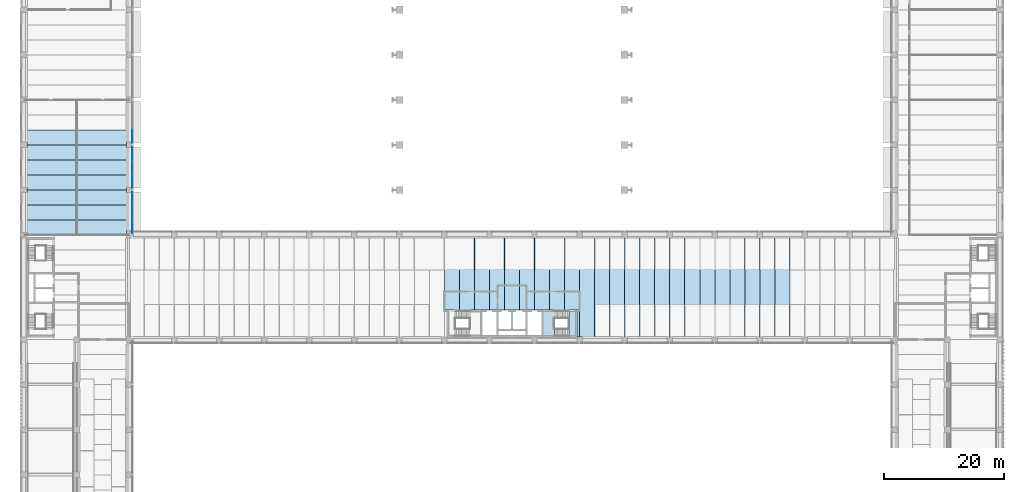
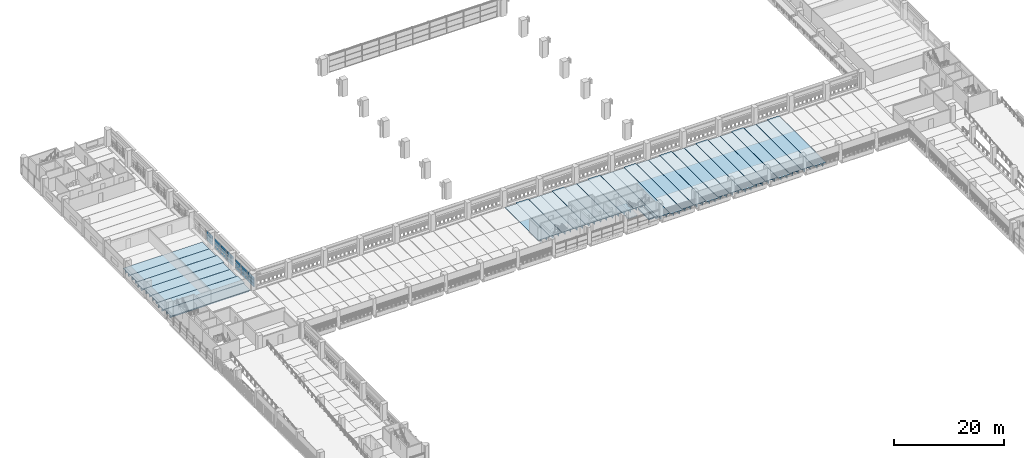
# One storey, part 23 of 57: 33 slabs, 21 plates, 4 elements without a shape of their own.
"""IFC4 building model written with IfcOpenShell, lengths in metres."""

from ifc_helpers import new_model, si_unit, direction, frame, origin, origin_2d, place, context, subcontext, project, spatial, polyline, rectangle, outline, extrude, material, layer, layer_set, material_profile, profile_set, type_object, element, aggregate, save


model = new_model("IFC4")

# Units and contexts
model_context = context("Model", 3, precision=1e-05, world=origin(), true_north=direction((0.0, 1.0)))
body_context = subcontext(model_context, "Body", "Model", "MODEL_VIEW")
ifc_project = project(units=[si_unit("LENGTHUNIT", "METRE"), si_unit("AREAUNIT", "SQUARE_METRE"), si_unit("VOLUMEUNIT", "CUBIC_METRE"), si_unit("PLANEANGLEUNIT", "RADIAN"), si_unit("MASSUNIT", "GRAM", prefix="KILO")], contexts=[model_context])

# Site, building, storey
site_placement = place(None, origin())
site = spatial("IfcSite", under=ifc_project, at=site_placement, CompositionType="ELEMENT")
building_placement = place(site_placement, origin())
building = spatial("IfcBuilding", under=site, at=building_placement, Name="Cour d'Honneur Mobility Palace", CompositionType="ELEMENT")
storey_placement = place(building_placement, frame((0.0, 0.0, 8.199951171875)))
storey = spatial("IfcBuildingStorey", under=building, at=storey_placement, Name="L02", CompositionType="ELEMENT", Elevation=8.199951171875)

# Slabs
ifc_material_1 = material(Name="Concrete C50", Category="concrete")
ifc_layer_1 = layer(ifc_material_1, 0.25)
ifc_layer_set_1 = layer_set([ifc_layer_1], Name="Concrete C50")
slab_type_1 = type_object("IfcSlabType", Name="Cast-in-place Slab 250", PredefinedType="FLOOR", material=ifc_layer_set_1)
slab_1_placement = place(storey_placement, frame((0.0, 0.0, -0.25)))
element("IfcSlab", 1, at=slab_1_placement, inside=storey, type_object=slab_type_1, Name="Cast-in-place slab S1 L02 core", PredefinedType="FLOOR", context=body_context, shape_type="SweptSolid", body=[
    extrude(outline(polyline([(91.949951171875, 45.449951171875), (91.949951171875, 49.800048828125), (92.39990234375, 49.800048828125), (92.39990234375, 45.449951171875), (91.949951171875, 45.449951171875)])), origin(), (0.0, 0.0, 1.0), 0.25),
])
slab_2_placement = place(storey_placement, frame((0.0, 0.0, -0.25)))
element("IfcSlab", 2, at=slab_2_placement, inside=storey, type_object=slab_type_1, Name="Cast-in-place slab S1 L02 core", PredefinedType="FLOOR", context=body_context, shape_type="SweptSolid", body=[
    extrude(outline(polyline([(91.699951171875, 45.699951171875), (90.625, 45.699951171875), (90.625, 49.675048828125), (91.699951171875, 49.675048828125), (91.699951171875, 45.699951171875)])), origin(), (0.0, 0.0, 1.0), 0.25),
])

# Curtain wall, plates
ifc_material_2 = material(Name="Aluminium and glass", Category="aluminium")
ifc_layer_2 = layer(ifc_material_2, 0.10009765625)
ifc_layer_set_2 = layer_set([ifc_layer_2], Name="Aluminium and glass")
curtain_wall_type = type_object("IfcCurtainWallType", Name="Curtain wall run", PredefinedType="NOTDEFINED", material=ifc_layer_set_2)
curtain_wall_1_placement = place(storey_placement, origin())
curtain_wall_1 = element("IfcCurtainWall", 3, at=curtain_wall_1_placement, inside=storey, type_object=curtain_wall_type, Name="Curtain wall CW-23", PredefinedType="NOTDEFINED")
ifc_material_3 = material(Name="Double glazing", Category="glass")
ifc_layer_3 = layer(ifc_material_3, 0.028076171875)
ifc_layer_set_3 = layer_set([ifc_layer_3], Name="Double glazing")
plate_type = type_object("IfcPlateType", Name="Curtain wall panel", PredefinedType="CURTAIN_PANEL", material=ifc_layer_set_3)
plate_1_placement = place(storey_placement, frame((17.949951171875, 63.864990234375, 0.06005859375), z_axis=(0.0, 0.0, 1.0), x_axis=(0.0, 1.0, 0.0)))
plate_1 = element("IfcPlate", 4, at=plate_1_placement, type_object=plate_type, Name="CW-23 panel 1.1", PredefinedType="CURTAIN_PANEL", context=body_context, shape_type="SweptSolid", body=[
    extrude(rectangle(XDim=2.2099609375, YDim=0.028076171875, at=origin_2d()), origin(), (0.0, 0.0, 1.0), 0.6767578125),
])
plate_2_placement = place(storey_placement, frame((17.949951171875, 63.864990234375, 0.796875), z_axis=(0.0, 0.0, 1.0), x_axis=(0.0, 1.0, 0.0)))
plate_2 = element("IfcPlate", 5, at=plate_2_placement, type_object=plate_type, Name="CW-23 panel 1.2", PredefinedType="CURTAIN_PANEL", context=body_context, shape_type="SweptSolid", body=[
    extrude(rectangle(XDim=2.2099609375, YDim=0.028076171875, at=origin_2d()), origin(), (0.0, 0.0, 1.0), 0.706787109375),
])
plate_3_placement = place(storey_placement, frame((17.949951171875, 63.864990234375, 1.563232421875), z_axis=(0.0, 0.0, 1.0), x_axis=(0.0, 1.0, 0.0)))
plate_3 = element("IfcPlate", 6, at=plate_3_placement, type_object=plate_type, Name="CW-23 panel 1.3", PredefinedType="CURTAIN_PANEL", context=body_context, shape_type="SweptSolid", body=[
    extrude(rectangle(XDim=2.2099609375, YDim=0.028076171875, at=origin_2d()), origin(), (0.0, 0.0, 1.0), 0.6767578125),
])
plate_4_placement = place(storey_placement, frame((17.949951171875, 66.14990234375, 0.06005859375), z_axis=(0.0, 0.0, 1.0), x_axis=(0.0, 1.0, 0.0)))
plate_4 = element("IfcPlate", 7, at=plate_4_placement, type_object=plate_type, Name="CW-23 panel 2.1", PredefinedType="CURTAIN_PANEL", context=body_context, shape_type="SweptSolid", body=[
    extrude(rectangle(XDim=2.239990234375, YDim=0.028076171875, at=origin_2d()), origin(), (0.0, 0.0, 1.0), 0.6767578125),
])
plate_5_placement = place(storey_placement, frame((17.949951171875, 66.14990234375, 0.796875), z_axis=(0.0, 0.0, 1.0), x_axis=(0.0, 1.0, 0.0)))
plate_5 = element("IfcPlate", 8, at=plate_5_placement, type_object=plate_type, Name="CW-23 panel 2.2", PredefinedType="CURTAIN_PANEL", context=body_context, shape_type="SweptSolid", body=[
    extrude(rectangle(XDim=2.239990234375, YDim=0.028076171875, at=origin_2d()), origin(), (0.0, 0.0, 1.0), 0.706787109375),
])
plate_6_placement = place(storey_placement, frame((17.949951171875, 66.14990234375, 1.563232421875), z_axis=(0.0, 0.0, 1.0), x_axis=(0.0, 1.0, 0.0)))
plate_6 = element("IfcPlate", 9, at=plate_6_placement, type_object=plate_type, Name="CW-23 panel 2.3", PredefinedType="CURTAIN_PANEL", context=body_context, shape_type="SweptSolid", body=[
    extrude(rectangle(XDim=2.239990234375, YDim=0.028076171875, at=origin_2d()), origin(), (0.0, 0.0, 1.0), 0.6767578125),
])
plate_7_placement = place(storey_placement, frame((17.949951171875, 68.43505859375, 0.06005859375), z_axis=(0.0, 0.0, 1.0), x_axis=(0.0, 1.0, 0.0)))
plate_7 = element("IfcPlate", 10, at=plate_7_placement, type_object=plate_type, Name="CW-23 panel 3.1", PredefinedType="CURTAIN_PANEL", context=body_context, shape_type="SweptSolid", body=[
    extrude(rectangle(XDim=2.2099609375, YDim=0.028076171875, at=origin_2d()), origin(), (0.0, 0.0, 1.0), 0.6767578125),
])
plate_8_placement = place(storey_placement, frame((17.949951171875, 68.43505859375, 0.796875), z_axis=(0.0, 0.0, 1.0), x_axis=(0.0, 1.0, 0.0)))
plate_8 = element("IfcPlate", 11, at=plate_8_placement, type_object=plate_type, Name="CW-23 panel 3.2", PredefinedType="CURTAIN_PANEL", context=body_context, shape_type="SweptSolid", body=[
    extrude(rectangle(XDim=2.2099609375, YDim=0.028076171875, at=origin_2d()), origin(), (0.0, 0.0, 1.0), 0.706787109375),
])
plate_9_placement = place(storey_placement, frame((17.949951171875, 68.43505859375, 1.563232421875), z_axis=(0.0, 0.0, 1.0), x_axis=(0.0, 1.0, 0.0)))
plate_9 = element("IfcPlate", 12, at=plate_9_placement, type_object=plate_type, Name="CW-23 panel 3.3", PredefinedType="CURTAIN_PANEL", context=body_context, shape_type="SweptSolid", body=[
    extrude(rectangle(XDim=2.2099609375, YDim=0.028076171875, at=origin_2d()), origin(), (0.0, 0.0, 1.0), 0.6767578125),
])
aggregate(curtain_wall_1, [plate_1, plate_2, plate_3, plate_4, plate_5, plate_6, plate_7, plate_8, plate_9])

curtain_wall_2_placement = place(storey_placement, origin())
curtain_wall_2 = element("IfcCurtainWall", 13, at=curtain_wall_2_placement, inside=storey, type_object=curtain_wall_type, Name="Curtain wall CW-24", PredefinedType="NOTDEFINED")
plate_10_placement = place(storey_placement, frame((17.949951171875, 71.364990234375, 0.06005859375), z_axis=(0.0, 0.0, 1.0), x_axis=(0.0, 1.0, 0.0)))
plate_10 = element("IfcPlate", 14, at=plate_10_placement, type_object=plate_type, Name="CW-24 panel 1.1", PredefinedType="CURTAIN_PANEL", context=body_context, shape_type="SweptSolid", body=[
    extrude(rectangle(XDim=2.2099609375, YDim=0.028076171875, at=origin_2d()), origin(), (0.0, 0.0, 1.0), 0.6767578125),
])
plate_11_placement = place(storey_placement, frame((17.949951171875, 71.364990234375, 0.796875), z_axis=(0.0, 0.0, 1.0), x_axis=(0.0, 1.0, 0.0)))
plate_11 = element("IfcPlate", 15, at=plate_11_placement, type_object=plate_type, Name="CW-24 panel 1.2", PredefinedType="CURTAIN_PANEL", context=body_context, shape_type="SweptSolid", body=[
    extrude(rectangle(XDim=2.2099609375, YDim=0.028076171875, at=origin_2d()), origin(), (0.0, 0.0, 1.0), 0.706787109375),
])
plate_12_placement = place(storey_placement, frame((17.949951171875, 71.364990234375, 1.563232421875), z_axis=(0.0, 0.0, 1.0), x_axis=(0.0, 1.0, 0.0)))
plate_12 = element("IfcPlate", 16, at=plate_12_placement, type_object=plate_type, Name="CW-24 panel 1.3", PredefinedType="CURTAIN_PANEL", context=body_context, shape_type="SweptSolid", body=[
    extrude(rectangle(XDim=2.2099609375, YDim=0.028076171875, at=origin_2d()), origin(), (0.0, 0.0, 1.0), 0.6767578125),
])
plate_13_placement = place(storey_placement, frame((17.949951171875, 73.64990234375, 0.06005859375), z_axis=(0.0, 0.0, 1.0), x_axis=(0.0, 1.0, 0.0)))
plate_13 = element("IfcPlate", 17, at=plate_13_placement, type_object=plate_type, Name="CW-24 panel 2.1", PredefinedType="CURTAIN_PANEL", context=body_context, shape_type="SweptSolid", body=[
    extrude(rectangle(XDim=2.239990234375, YDim=0.028076171875, at=origin_2d()), origin(), (0.0, 0.0, 1.0), 0.6767578125),
])
plate_14_placement = place(storey_placement, frame((17.949951171875, 73.64990234375, 0.796875), z_axis=(0.0, 0.0, 1.0), x_axis=(0.0, 1.0, 0.0)))
plate_14 = element("IfcPlate", 18, at=plate_14_placement, type_object=plate_type, Name="CW-24 panel 2.2", PredefinedType="CURTAIN_PANEL", context=body_context, shape_type="SweptSolid", body=[
    extrude(rectangle(XDim=2.239990234375, YDim=0.028076171875, at=origin_2d()), origin(), (0.0, 0.0, 1.0), 0.706787109375),
])
plate_15_placement = place(storey_placement, frame((17.949951171875, 73.64990234375, 1.563232421875), z_axis=(0.0, 0.0, 1.0), x_axis=(0.0, 1.0, 0.0)))
plate_15 = element("IfcPlate", 19, at=plate_15_placement, type_object=plate_type, Name="CW-24 panel 2.3", PredefinedType="CURTAIN_PANEL", context=body_context, shape_type="SweptSolid", body=[
    extrude(rectangle(XDim=2.239990234375, YDim=0.028076171875, at=origin_2d()), origin(), (0.0, 0.0, 1.0), 0.6767578125),
])
plate_16_placement = place(storey_placement, frame((17.949951171875, 75.93505859375, 0.06005859375), z_axis=(0.0, 0.0, 1.0), x_axis=(0.0, 1.0, 0.0)))
plate_16 = element("IfcPlate", 20, at=plate_16_placement, type_object=plate_type, Name="CW-24 panel 3.1", PredefinedType="CURTAIN_PANEL", context=body_context, shape_type="SweptSolid", body=[
    extrude(rectangle(XDim=2.2099609375, YDim=0.028076171875, at=origin_2d()), origin(), (0.0, 0.0, 1.0), 0.6767578125),
])
plate_17_placement = place(storey_placement, frame((17.949951171875, 75.93505859375, 0.796875), z_axis=(0.0, 0.0, 1.0), x_axis=(0.0, 1.0, 0.0)))
plate_17 = element("IfcPlate", 21, at=plate_17_placement, type_object=plate_type, Name="CW-24 panel 3.2", PredefinedType="CURTAIN_PANEL", context=body_context, shape_type="SweptSolid", body=[
    extrude(rectangle(XDim=2.2099609375, YDim=0.028076171875, at=origin_2d()), origin(), (0.0, 0.0, 1.0), 0.706787109375),
])
plate_18_placement = place(storey_placement, frame((17.949951171875, 75.93505859375, 1.563232421875), z_axis=(0.0, 0.0, 1.0), x_axis=(0.0, 1.0, 0.0)))
plate_18 = element("IfcPlate", 22, at=plate_18_placement, type_object=plate_type, Name="CW-24 panel 3.3", PredefinedType="CURTAIN_PANEL", context=body_context, shape_type="SweptSolid", body=[
    extrude(rectangle(XDim=2.2099609375, YDim=0.028076171875, at=origin_2d()), origin(), (0.0, 0.0, 1.0), 0.6767578125),
])
aggregate(curtain_wall_2, [plate_10, plate_11, plate_12, plate_13, plate_14, plate_15, plate_16, plate_17, plate_18])

curtain_wall_3_placement = place(storey_placement, origin())
curtain_wall_3 = element("IfcCurtainWall", 23, at=curtain_wall_3_placement, inside=storey, type_object=curtain_wall_type, Name="Curtain wall CW-25", PredefinedType="NOTDEFINED")
plate_19_placement = place(storey_placement, frame((17.949951171875, 78.864990234375, 0.06005859375), z_axis=(0.0, 0.0, 1.0), x_axis=(0.0, 1.0, 0.0)))
plate_19 = element("IfcPlate", 24, at=plate_19_placement, type_object=plate_type, Name="CW-25 panel 1.1", PredefinedType="CURTAIN_PANEL", context=body_context, shape_type="SweptSolid", body=[
    extrude(rectangle(XDim=2.2099609375, YDim=0.028076171875, at=origin_2d()), origin(), (0.0, 0.0, 1.0), 0.6767578125),
])
plate_20_placement = place(storey_placement, frame((17.949951171875, 78.864990234375, 0.796875), z_axis=(0.0, 0.0, 1.0), x_axis=(0.0, 1.0, 0.0)))
plate_20 = element("IfcPlate", 25, at=plate_20_placement, type_object=plate_type, Name="CW-25 panel 1.2", PredefinedType="CURTAIN_PANEL", context=body_context, shape_type="SweptSolid", body=[
    extrude(rectangle(XDim=2.2099609375, YDim=0.028076171875, at=origin_2d()), origin(), (0.0, 0.0, 1.0), 0.706787109375),
])
plate_21_placement = place(storey_placement, frame((17.949951171875, 78.864990234375, 1.563232421875), z_axis=(0.0, 0.0, 1.0), x_axis=(0.0, 1.0, 0.0)))
plate_21 = element("IfcPlate", 26, at=plate_21_placement, type_object=plate_type, Name="CW-25 panel 1.3", PredefinedType="CURTAIN_PANEL", context=body_context, shape_type="SweptSolid", body=[
    extrude(rectangle(XDim=2.2099609375, YDim=0.028076171875, at=origin_2d()), origin(), (0.0, 0.0, 1.0), 0.6767578125),
])
aggregate(curtain_wall_3, [plate_19, plate_20, plate_21])

# Slabs
ifc_material_4 = material(Name="Concrete C45", Category="concrete")
ifc_material_profile_1 = material_profile(ifc_material_4, outline(polyline([(-1.2451171875, 0.0), (1.2451171875, 0.0), (1.2451171875, -0.10009765625), (0.679931640625, -0.10009765625), (0.64990234375, -0.64990234375), (0.550048828125, -0.64990234375), (0.52001953125, -0.10009765625), (-0.52001953125, -0.10009765625), (-0.550048828125, -0.64990234375), (-0.64990234375, -0.64990234375), (-0.679931640625, -0.10009765625), (-1.2451171875, -0.10009765625), (-1.2451171875, 0.0)])), Name="DT 2490x650")
ifc_profile_set_1 = profile_set([ifc_material_profile_1], Name="Concrete C45")
slab_type_2 = type_object("IfcSlabType", Name="DT 2490x650", PredefinedType="FLOOR", material=ifc_profile_set_1)
slab_3_placement = place(storey_placement, frame((71.14990234375, 49.925048828125, 0.0), z_axis=(0.0, 1.0, 0.0), x_axis=(-1.0, 0.0, 0.0)))
element("IfcSlab", 27, at=slab_3_placement, inside=storey, type_object=slab_type_2, Name="Double tee DT-C22 L02", PredefinedType="FLOOR", context=body_context, shape_type="SweptSolid", body=[
    extrude(outline(polyline([(-1.2451171875, 0.0), (1.2451171875, 0.0), (1.2451171875, -0.10009765625), (0.679931640625, -0.10009765625), (0.64990234375, -0.64990234375), (0.550048828125, -0.64990234375), (0.52001953125, -0.10009765625), (-0.52001953125, -0.10009765625), (-0.550048828125, -0.64990234375), (-0.64990234375, -0.64990234375), (-0.679931640625, -0.10009765625), (-1.2451171875, -0.10009765625), (-1.2451171875, 0.0)])), origin(), (0.0, 0.0, 1.0), 12.02490234375),
])
slab_4_placement = place(storey_placement, frame((73.64990234375, 49.925048828125, 0.0), z_axis=(0.0, 1.0, 0.0), x_axis=(-1.0, 0.0, 0.0)))
element("IfcSlab", 28, at=slab_4_placement, inside=storey, type_object=slab_type_2, Name="Double tee DT-C23 L02", PredefinedType="FLOOR", context=body_context, shape_type="SweptSolid", body=[
    extrude(outline(polyline([(-1.2451171875, 0.0), (1.2451171875, 0.0), (1.2451171875, -0.10009765625), (0.679931640625, -0.10009765625), (0.64990234375, -0.64990234375), (0.550048828125, -0.64990234375), (0.52001953125, -0.10009765625), (-0.52001953125, -0.10009765625), (-0.550048828125, -0.64990234375), (-0.64990234375, -0.64990234375), (-0.679931640625, -0.10009765625), (-1.2451171875, -0.10009765625), (-1.2451171875, 0.0)])), origin(), (0.0, 0.0, 1.0), 12.27490234375),
])
for number, where, z_axis, x_axis, name in (
    (29, (76.14990234375, 49.925048828125, 0.0), (0.0, 1.0, 0.0), (-1.0, 0.0, 0.0), "Double tee DT-C24 L02"),
    (30, (78.64990234375, 49.925048828125, 0.0), (0.0, 1.0, 0.0), (-1.0, 0.0, 0.0), "Double tee DT-C25 L02"),
):
    element("IfcSlab", number, at=place(storey_placement, frame(where, z_axis=z_axis, x_axis=x_axis)), inside=storey, type_object=slab_type_2, Name=name, PredefinedType="FLOOR", context=body_context, shape_type="SweptSolid", body=[
        extrude(outline(polyline([(-1.2451171875, 0.0), (1.2451171875, 0.0), (1.2451171875, -0.10009765625), (0.679931640625, -0.10009765625), (0.64990234375, -0.64990234375), (0.550048828125, -0.64990234375), (0.52001953125, -0.10009765625), (-0.52001953125, -0.10009765625), (-0.550048828125, -0.64990234375), (-0.64990234375, -0.64990234375), (-0.679931640625, -0.10009765625), (-1.2451171875, -0.10009765625), (-1.2451171875, 0.0)])), origin(), (0.0, 0.0, 1.0), 12.02490234375),
    ])
slab_5_placement = place(storey_placement, frame((81.14990234375, 49.925048828125, 0.0), z_axis=(0.0, 1.0, 0.0), x_axis=(-1.0, 0.0, 0.0)))
element("IfcSlab", 31, at=slab_5_placement, inside=storey, type_object=slab_type_2, Name="Double tee DT-C26 L02", PredefinedType="FLOOR", context=body_context, shape_type="SweptSolid", body=[
    extrude(outline(polyline([(-1.2451171875, 0.0), (1.2451171875, 0.0), (1.2451171875, -0.10009765625), (0.679931640625, -0.10009765625), (0.64990234375, -0.64990234375), (0.550048828125, -0.64990234375), (0.52001953125, -0.10009765625), (-0.52001953125, -0.10009765625), (-0.550048828125, -0.64990234375), (-0.64990234375, -0.64990234375), (-0.679931640625, -0.10009765625), (-1.2451171875, -0.10009765625), (-1.2451171875, 0.0)])), origin(), (0.0, 0.0, 1.0), 12.27490234375),
])
for number, where, z_axis, x_axis, name in (
    (32, (83.64990234375, 49.925048828125, 0.0), (0.0, 1.0, 0.0), (-1.0, 0.0, 0.0), "Double tee DT-C27 L02"),
    (33, (86.14990234375, 49.925048828125, 0.0), (0.0, 1.0, 0.0), (-1.0, 0.0, 0.0), "Double tee DT-C28 L02"),
):
    element("IfcSlab", number, at=place(storey_placement, frame(where, z_axis=z_axis, x_axis=x_axis)), inside=storey, type_object=slab_type_2, Name=name, PredefinedType="FLOOR", context=body_context, shape_type="SweptSolid", body=[
        extrude(outline(polyline([(-1.2451171875, 0.0), (1.2451171875, 0.0), (1.2451171875, -0.10009765625), (0.679931640625, -0.10009765625), (0.64990234375, -0.64990234375), (0.550048828125, -0.64990234375), (0.52001953125, -0.10009765625), (-0.52001953125, -0.10009765625), (-0.550048828125, -0.64990234375), (-0.64990234375, -0.64990234375), (-0.679931640625, -0.10009765625), (-1.2451171875, -0.10009765625), (-1.2451171875, 0.0)])), origin(), (0.0, 0.0, 1.0), 12.02490234375),
    ])
slab_6_placement = place(storey_placement, frame((88.64990234375, 49.925048828125, 0.0), z_axis=(0.0, 1.0, 0.0), x_axis=(-1.0, 0.0, 0.0)))
element("IfcSlab", 34, at=slab_6_placement, inside=storey, type_object=slab_type_2, Name="Double tee DT-C29 L02", PredefinedType="FLOOR", context=body_context, shape_type="SweptSolid", body=[
    extrude(outline(polyline([(-1.2451171875, 0.0), (1.2451171875, 0.0), (1.2451171875, -0.10009765625), (0.679931640625, -0.10009765625), (0.64990234375, -0.64990234375), (0.550048828125, -0.64990234375), (0.52001953125, -0.10009765625), (-0.52001953125, -0.10009765625), (-0.550048828125, -0.64990234375), (-0.64990234375, -0.64990234375), (-0.679931640625, -0.10009765625), (-1.2451171875, -0.10009765625), (-1.2451171875, 0.0)])), origin(), (0.0, 0.0, 1.0), 12.27490234375),
])
slab_7_placement = place(storey_placement, frame((91.14990234375, 49.925048828125, 0.0), z_axis=(0.0, 1.0, 0.0), x_axis=(-1.0, 0.0, 0.0)))
element("IfcSlab", 35, at=slab_7_placement, inside=storey, type_object=slab_type_2, Name="Double tee DT-C30 L02", PredefinedType="FLOOR", context=body_context, shape_type="SweptSolid", body=[
    extrude(outline(polyline([(-1.2451171875, 0.0), (1.2451171875, 0.0), (1.2451171875, -0.10009765625), (0.679931640625, -0.10009765625), (0.64990234375, -0.64990234375), (0.550048828125, -0.64990234375), (0.52001953125, -0.10009765625), (-0.52001953125, -0.10009765625), (-0.550048828125, -0.64990234375), (-0.64990234375, -0.64990234375), (-0.679931640625, -0.10009765625), (-1.2451171875, -0.10009765625), (-1.2451171875, 0.0)])), origin(), (0.0, 0.0, 1.0), 12.02490234375),
])
ifc_material_5 = material(Name="Concrete C45", Category="concrete")
ifc_material_profile_2 = material_profile(ifc_material_5, outline(polyline([(-1.2451171875, 0.0), (1.2451171875, 0.0), (1.2451171875, -0.10009765625), (0.679931640625, -0.10009765625), (0.64990234375, -0.75), (0.550048828125, -0.75), (0.52001953125, -0.10009765625), (-0.52001953125, -0.10009765625), (-0.550048828125, -0.75), (-0.64990234375, -0.75), (-0.679931640625, -0.10009765625), (-1.2451171875, -0.10009765625), (-1.2451171875, 0.0)])), Name="DT 2490x750")
ifc_profile_set_2 = profile_set([ifc_material_profile_2], Name="Concrete C45")
slab_type_3 = type_object("IfcSlabType", Name="DT 2490x750", PredefinedType="FLOOR", material=ifc_profile_set_2)
slab_8_placement = place(storey_placement, frame((0.449951171875, 63.64990234375, 0.0), z_axis=(1.0, 0.0, 0.0), x_axis=(0.0, 1.0, 0.0)))
element("IfcSlab", 36, at=slab_8_placement, inside=storey, type_object=slab_type_3, Name="Double tee DT-NW1 L02", PredefinedType="FLOOR", context=body_context, shape_type="SweptSolid", body=[
    extrude(outline(polyline([(-1.2451171875, 0.0), (1.2451171875, 0.0), (1.2451171875, -0.10009765625), (0.679931640625, -0.10009765625), (0.64990234375, -0.75), (0.550048828125, -0.75), (0.52001953125, -0.10009765625), (-0.52001953125, -0.10009765625), (-0.550048828125, -0.75), (-0.64990234375, -0.75), (-0.679931640625, -0.10009765625), (-1.2451171875, -0.10009765625), (-1.2451171875, 0.0)])), origin(), (0.0, 0.0, 1.0), 16.5),
])
slab_9_placement = place(storey_placement, frame((0.199951171875, 66.14990234375, 0.0), z_axis=(1.0, 0.0, 0.0), x_axis=(0.0, 1.0, 0.0)))
element("IfcSlab", 37, at=slab_9_placement, inside=storey, type_object=slab_type_3, Name="Double tee DT-NW2 L02", PredefinedType="FLOOR", context=body_context, shape_type="SweptSolid", body=[
    extrude(outline(polyline([(-1.2451171875, 0.0), (1.2451171875, 0.0), (1.2451171875, -0.10009765625), (0.679931640625, -0.10009765625), (0.64990234375, -0.75), (0.550048828125, -0.75), (0.52001953125, -0.10009765625), (-0.52001953125, -0.10009765625), (-0.550048828125, -0.75), (-0.64990234375, -0.75), (-0.679931640625, -0.10009765625), (-1.2451171875, -0.10009765625), (-1.2451171875, 0.0)])), origin(), (0.0, 0.0, 1.0), 17.0),
])
for number, where, z_axis, x_axis, name in (
    (38, (0.449951171875, 68.64990234375, 0.0), (1.0, 0.0, 0.0), (0.0, 1.0, 0.0), "Double tee DT-NW3 L02"),
    (39, (0.449951171875, 71.14990234375, 0.0), (1.0, 0.0, 0.0), (0.0, 1.0, 0.0), "Double tee DT-NW4 L02"),
):
    element("IfcSlab", number, at=place(storey_placement, frame(where, z_axis=z_axis, x_axis=x_axis)), inside=storey, type_object=slab_type_3, Name=name, PredefinedType="FLOOR", context=body_context, shape_type="SweptSolid", body=[
        extrude(outline(polyline([(-1.2451171875, 0.0), (1.2451171875, 0.0), (1.2451171875, -0.10009765625), (0.679931640625, -0.10009765625), (0.64990234375, -0.75), (0.550048828125, -0.75), (0.52001953125, -0.10009765625), (-0.52001953125, -0.10009765625), (-0.550048828125, -0.75), (-0.64990234375, -0.75), (-0.679931640625, -0.10009765625), (-1.2451171875, -0.10009765625), (-1.2451171875, 0.0)])), origin(), (0.0, 0.0, 1.0), 16.5),
    ])
slab_10_placement = place(storey_placement, frame((0.199951171875, 73.64990234375, 0.0), z_axis=(1.0, 0.0, 0.0), x_axis=(0.0, 1.0, 0.0)))
element("IfcSlab", 40, at=slab_10_placement, inside=storey, type_object=slab_type_3, Name="Double tee DT-NW5 L02", PredefinedType="FLOOR", context=body_context, shape_type="SweptSolid", body=[
    extrude(outline(polyline([(-1.2451171875, 0.0), (1.2451171875, 0.0), (1.2451171875, -0.10009765625), (0.679931640625, -0.10009765625), (0.64990234375, -0.75), (0.550048828125, -0.75), (0.52001953125, -0.10009765625), (-0.52001953125, -0.10009765625), (-0.550048828125, -0.75), (-0.64990234375, -0.75), (-0.679931640625, -0.10009765625), (-1.2451171875, -0.10009765625), (-1.2451171875, 0.0)])), origin(), (0.0, 0.0, 1.0), 17.0),
])
for number, where, z_axis, x_axis, name in (
    (41, (0.449951171875, 76.14990234375, 0.0), (1.0, 0.0, 0.0), (0.0, 1.0, 0.0), "Double tee DT-NW6 L02"),
    (42, (0.449951171875, 78.64990234375, 0.0), (1.0, 0.0, 0.0), (0.0, 1.0, 0.0), "Double tee DT-NW7 L02"),
    (43, (93.64990234375, 45.449951171875, 0.0), (0.0, 1.0, 0.0), (-1.0, 0.0, 0.0), "Double tee DT-C31 L02"),
):
    element("IfcSlab", number, at=place(storey_placement, frame(where, z_axis=z_axis, x_axis=x_axis)), inside=storey, type_object=slab_type_3, Name=name, PredefinedType="FLOOR", context=body_context, shape_type="SweptSolid", body=[
        extrude(outline(polyline([(-1.2451171875, 0.0), (1.2451171875, 0.0), (1.2451171875, -0.10009765625), (0.679931640625, -0.10009765625), (0.64990234375, -0.75), (0.550048828125, -0.75), (0.52001953125, -0.10009765625), (-0.52001953125, -0.10009765625), (-0.550048828125, -0.75), (-0.64990234375, -0.75), (-0.679931640625, -0.10009765625), (-1.2451171875, -0.10009765625), (-1.2451171875, 0.0)])), origin(), (0.0, 0.0, 1.0), 16.5),
    ])
slab_11_placement = place(storey_placement, frame((96.14990234375, 45.199951171875, 0.0), z_axis=(0.0, 1.0, 0.0), x_axis=(-1.0, 0.0, 0.0)))
element("IfcSlab", 44, at=slab_11_placement, inside=storey, type_object=slab_type_3, Name="Double tee DT-C32 L02", PredefinedType="FLOOR", context=body_context, shape_type="SweptSolid", body=[
    extrude(outline(polyline([(-1.2451171875, 0.0), (1.2451171875, 0.0), (1.2451171875, -0.10009765625), (0.679931640625, -0.10009765625), (0.64990234375, -0.75), (0.550048828125, -0.75), (0.52001953125, -0.10009765625), (-0.52001953125, -0.10009765625), (-0.550048828125, -0.75), (-0.64990234375, -0.75), (-0.679931640625, -0.10009765625), (-1.2451171875, -0.10009765625), (-1.2451171875, 0.0)])), origin(), (0.0, 0.0, 1.0), 17.0),
])
for number, where, z_axis, x_axis, name in (
    (45, (98.64990234375, 45.449951171875, 0.0), (0.0, 1.0, 0.0), (-1.0, 0.0, 0.0), "Double tee DT-C33 L02"),
    (46, (101.14990234375, 45.449951171875, 0.0), (0.0, 1.0, 0.0), (-1.0, 0.0, 0.0), "Double tee DT-C34 L02"),
):
    element("IfcSlab", number, at=place(storey_placement, frame(where, z_axis=z_axis, x_axis=x_axis)), inside=storey, type_object=slab_type_3, Name=name, PredefinedType="FLOOR", context=body_context, shape_type="SweptSolid", body=[
        extrude(outline(polyline([(-1.2451171875, 0.0), (1.2451171875, 0.0), (1.2451171875, -0.10009765625), (0.679931640625, -0.10009765625), (0.64990234375, -0.75), (0.550048828125, -0.75), (0.52001953125, -0.10009765625), (-0.52001953125, -0.10009765625), (-0.550048828125, -0.75), (-0.64990234375, -0.75), (-0.679931640625, -0.10009765625), (-1.2451171875, -0.10009765625), (-1.2451171875, 0.0)])), origin(), (0.0, 0.0, 1.0), 16.5),
    ])
slab_12_placement = place(storey_placement, frame((103.64990234375, 45.199951171875, 0.0), z_axis=(0.0, 1.0, 0.0), x_axis=(-1.0, 0.0, 0.0)))
element("IfcSlab", 47, at=slab_12_placement, inside=storey, type_object=slab_type_3, Name="Double tee DT-C35 L02", PredefinedType="FLOOR", context=body_context, shape_type="SweptSolid", body=[
    extrude(outline(polyline([(-1.2451171875, 0.0), (1.2451171875, 0.0), (1.2451171875, -0.10009765625), (0.679931640625, -0.10009765625), (0.64990234375, -0.75), (0.550048828125, -0.75), (0.52001953125, -0.10009765625), (-0.52001953125, -0.10009765625), (-0.550048828125, -0.75), (-0.64990234375, -0.75), (-0.679931640625, -0.10009765625), (-1.2451171875, -0.10009765625), (-1.2451171875, 0.0)])), origin(), (0.0, 0.0, 1.0), 17.0),
])
for number, where, z_axis, x_axis, name in (
    (48, (106.14990234375, 45.449951171875, 0.0), (0.0, 1.0, 0.0), (-1.0, 0.0, 0.0), "Double tee DT-C36 L02"),
    (49, (108.64990234375, 45.449951171875, 0.0), (0.0, 1.0, 0.0), (-1.0, 0.0, 0.0), "Double tee DT-C37 L02"),
):
    element("IfcSlab", number, at=place(storey_placement, frame(where, z_axis=z_axis, x_axis=x_axis)), inside=storey, type_object=slab_type_3, Name=name, PredefinedType="FLOOR", context=body_context, shape_type="SweptSolid", body=[
        extrude(outline(polyline([(-1.2451171875, 0.0), (1.2451171875, 0.0), (1.2451171875, -0.10009765625), (0.679931640625, -0.10009765625), (0.64990234375, -0.75), (0.550048828125, -0.75), (0.52001953125, -0.10009765625), (-0.52001953125, -0.10009765625), (-0.550048828125, -0.75), (-0.64990234375, -0.75), (-0.679931640625, -0.10009765625), (-1.2451171875, -0.10009765625), (-1.2451171875, 0.0)])), origin(), (0.0, 0.0, 1.0), 16.5),
    ])
slab_13_placement = place(storey_placement, frame((111.14990234375, 45.199951171875, 0.0), z_axis=(0.0, 1.0, 0.0), x_axis=(-1.0, 0.0, 0.0)))
element("IfcSlab", 50, at=slab_13_placement, inside=storey, type_object=slab_type_3, Name="Double tee DT-C38 L02", PredefinedType="FLOOR", context=body_context, shape_type="SweptSolid", body=[
    extrude(outline(polyline([(-1.2451171875, 0.0), (1.2451171875, 0.0), (1.2451171875, -0.10009765625), (0.679931640625, -0.10009765625), (0.64990234375, -0.75), (0.550048828125, -0.75), (0.52001953125, -0.10009765625), (-0.52001953125, -0.10009765625), (-0.550048828125, -0.75), (-0.64990234375, -0.75), (-0.679931640625, -0.10009765625), (-1.2451171875, -0.10009765625), (-1.2451171875, 0.0)])), origin(), (0.0, 0.0, 1.0), 17.0),
])
for number, where, z_axis, x_axis, name in (
    (51, (113.64990234375, 45.449951171875, 0.0), (0.0, 1.0, 0.0), (-1.0, 0.0, 0.0), "Double tee DT-C39 L02"),
    (52, (116.14990234375, 45.449951171875, 0.0), (0.0, 1.0, 0.0), (-1.0, 0.0, 0.0), "Double tee DT-C40 L02"),
):
    element("IfcSlab", number, at=place(storey_placement, frame(where, z_axis=z_axis, x_axis=x_axis)), inside=storey, type_object=slab_type_3, Name=name, PredefinedType="FLOOR", context=body_context, shape_type="SweptSolid", body=[
        extrude(outline(polyline([(-1.2451171875, 0.0), (1.2451171875, 0.0), (1.2451171875, -0.10009765625), (0.679931640625, -0.10009765625), (0.64990234375, -0.75), (0.550048828125, -0.75), (0.52001953125, -0.10009765625), (-0.52001953125, -0.10009765625), (-0.550048828125, -0.75), (-0.64990234375, -0.75), (-0.679931640625, -0.10009765625), (-1.2451171875, -0.10009765625), (-1.2451171875, 0.0)])), origin(), (0.0, 0.0, 1.0), 16.5),
    ])
slab_14_placement = place(storey_placement, frame((118.64990234375, 45.199951171875, 0.0), z_axis=(0.0, 1.0, 0.0), x_axis=(-1.0, 0.0, 0.0)))
element("IfcSlab", 53, at=slab_14_placement, inside=storey, type_object=slab_type_3, Name="Double tee DT-C41 L02", PredefinedType="FLOOR", context=body_context, shape_type="SweptSolid", body=[
    extrude(outline(polyline([(-1.2451171875, 0.0), (1.2451171875, 0.0), (1.2451171875, -0.10009765625), (0.679931640625, -0.10009765625), (0.64990234375, -0.75), (0.550048828125, -0.75), (0.52001953125, -0.10009765625), (-0.52001953125, -0.10009765625), (-0.550048828125, -0.75), (-0.64990234375, -0.75), (-0.679931640625, -0.10009765625), (-1.2451171875, -0.10009765625), (-1.2451171875, 0.0)])), origin(), (0.0, 0.0, 1.0), 17.0),
])
for number, where, z_axis, x_axis, name in (
    (54, (121.14990234375, 45.449951171875, 0.0), (0.0, 1.0, 0.0), (-1.0, 0.0, 0.0), "Double tee DT-C42 L02"),
    (55, (123.64990234375, 45.449951171875, 0.0), (0.0, 1.0, 0.0), (-1.0, 0.0, 0.0), "Double tee DT-C43 L02"),
):
    element("IfcSlab", number, at=place(storey_placement, frame(where, z_axis=z_axis, x_axis=x_axis)), inside=storey, type_object=slab_type_3, Name=name, PredefinedType="FLOOR", context=body_context, shape_type="SweptSolid", body=[
        extrude(outline(polyline([(-1.2451171875, 0.0), (1.2451171875, 0.0), (1.2451171875, -0.10009765625), (0.679931640625, -0.10009765625), (0.64990234375, -0.75), (0.550048828125, -0.75), (0.52001953125, -0.10009765625), (-0.52001953125, -0.10009765625), (-0.550048828125, -0.75), (-0.64990234375, -0.75), (-0.679931640625, -0.10009765625), (-1.2451171875, -0.10009765625), (-1.2451171875, 0.0)])), origin(), (0.0, 0.0, 1.0), 16.5),
    ])
slab_15_placement = place(storey_placement, frame((126.14990234375, 45.199951171875, 0.0), z_axis=(0.0, 1.0, 0.0), x_axis=(-1.0, 0.0, 0.0)))
element("IfcSlab", 56, at=slab_15_placement, inside=storey, type_object=slab_type_3, Name="Double tee DT-C44 L02", PredefinedType="FLOOR", context=body_context, shape_type="SweptSolid", body=[
    extrude(outline(polyline([(-1.2451171875, 0.0), (1.2451171875, 0.0), (1.2451171875, -0.10009765625), (0.679931640625, -0.10009765625), (0.64990234375, -0.75), (0.550048828125, -0.75), (0.52001953125, -0.10009765625), (-0.52001953125, -0.10009765625), (-0.550048828125, -0.75), (-0.64990234375, -0.75), (-0.679931640625, -0.10009765625), (-1.2451171875, -0.10009765625), (-1.2451171875, 0.0)])), origin(), (0.0, 0.0, 1.0), 17.0),
])

# Stair, slab
ifc_material_6 = material(Name="Concrete C50", Category="concrete")
stair_type = type_object("IfcStairType", Name="Stair 20 risers", PredefinedType="HALF_TURN_STAIR", material=ifc_material_6)
stair_placement = place(storey_placement, origin())
stair = element("IfcStair", 57, at=stair_placement, inside=storey, type_object=stair_type, Name="Stair ST-CC2", PredefinedType="HALF_TURN_STAIR")
ifc_material_7 = material(Name="Concrete C50", Category="concrete")
ifc_layer_4 = layer(ifc_material_7, 0.199951171875)
ifc_layer_set_4 = layer_set([ifc_layer_4], Name="Concrete C50")
slab_type_4 = type_object("IfcSlabType", Name="Stair landing", PredefinedType="LANDING", material=ifc_layer_set_4)
slab_16_placement = place(storey_placement, frame((0.0, 0.0, 1.650146484375)))
slab_16 = element("IfcSlab", 58, at=slab_16_placement, type_object=slab_type_4, Name="ST-CC2 landing 1", PredefinedType="LANDING", context=body_context, shape_type="SweptSolid", body=[
    extrude(outline(polyline([(86.199951171875, 45.574951171875), (88.195068359375, 45.574951171875), (88.195068359375, 49.800048828125), (86.199951171875, 49.800048828125), (86.199951171875, 45.574951171875)])), origin(), (0.0, 0.0, 1.0), 0.199951171875),
])
aggregate(stair, [slab_16])

save(model, "model.ifc")
